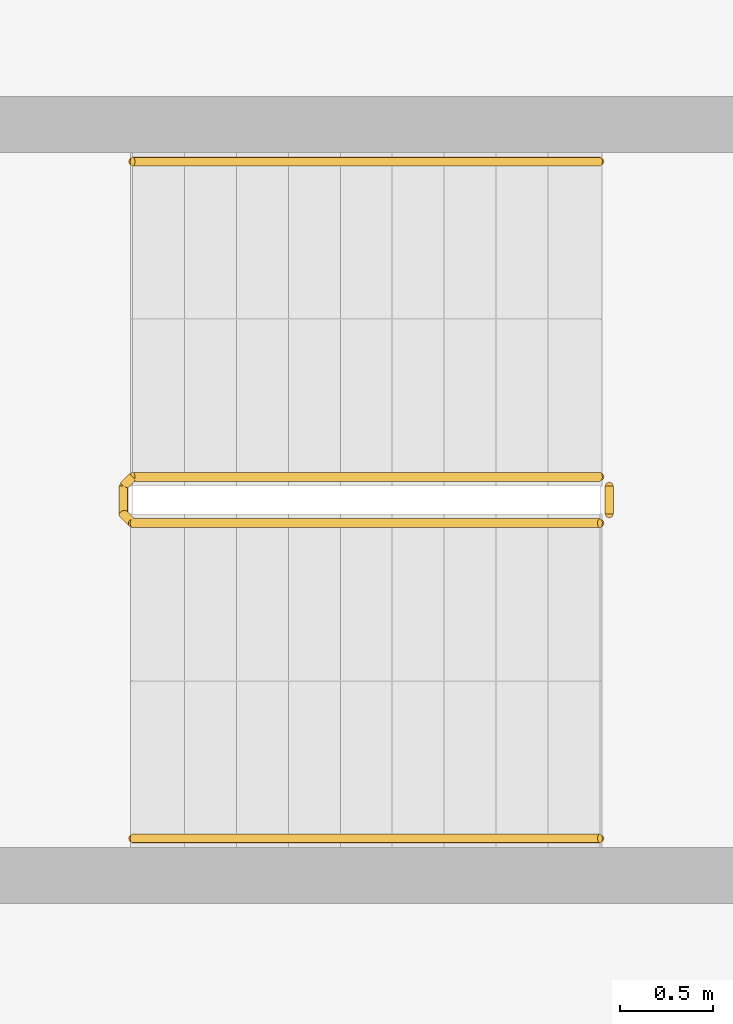
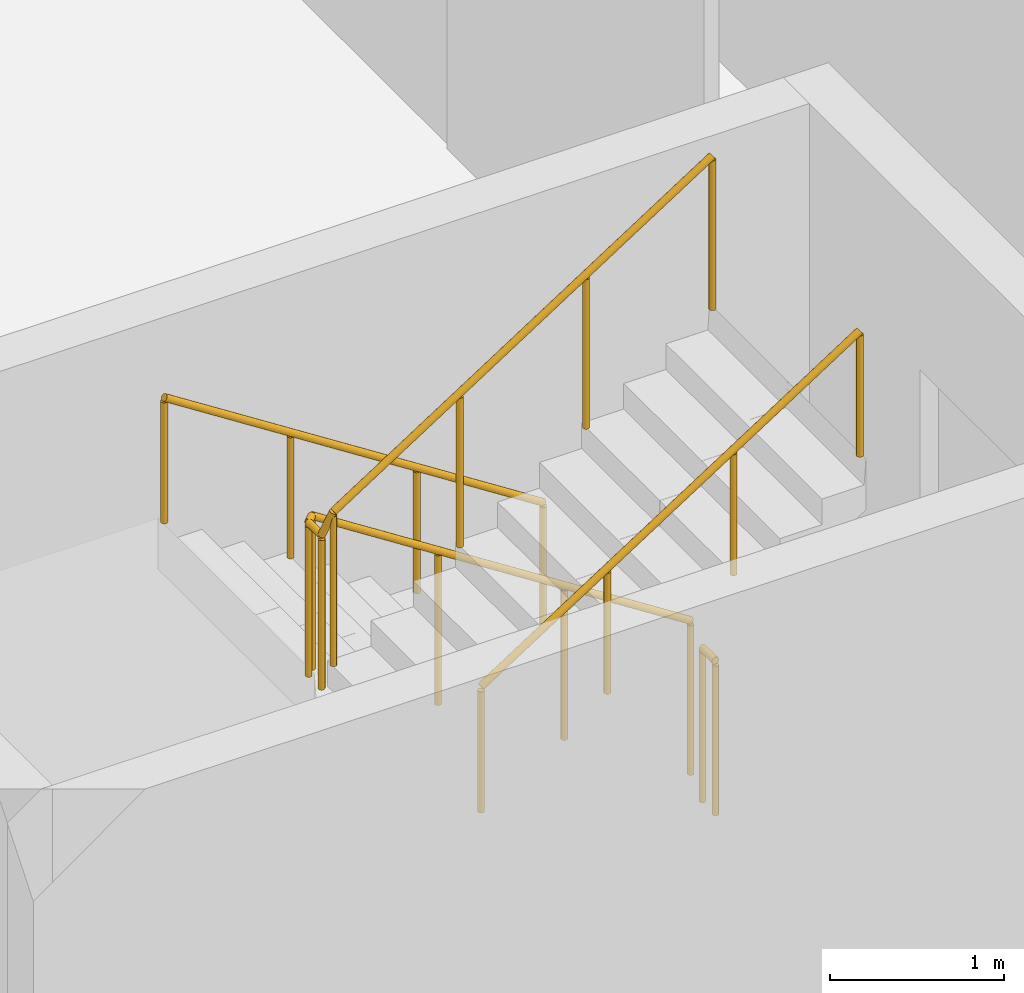
# One storey, part 24 of 27: 4 railings.
"""IFC4 building model written with IfcOpenShell, lengths in metres."""

import ifcopenshell
import ifcopenshell.guid

model = None  # the IFC model being written
_history = None  # IfcOwnerHistory: only IFC2X3 demands one
_inside = {}  # id of a spatial element -> (the spatial element, [elements in it])
_under = {}  # id of a project, library or spatial element -> (it, [spatial elements below it])
_declared = {}  # id of a project -> (the project, [libraries it declares])
_typed = {}  # id of a type object -> (the type object, [elements of that type])
_made_of = {}  # id of a material, layer set ... -> (it, [elements and type objects made of it])


def new_model(schema):
    """Start an empty IFC model of exactly this schema.

    Asked for "IFC4X3", IfcOpenShell would pick the latest addendum, in which some entities
    have other attributes; the version numbers below select the first issue.
    IFC2X3 requires an IfcOwnerHistory on every rooted entity: one is made here for all.
    """
    global model, _history
    if schema == "IFC4X3":
        model = ifcopenshell.file(schema_version=(4, 3, 0, 0))
    else:
        model = ifcopenshell.file(schema=schema)
    _inside.clear()
    _under.clear()
    _declared.clear()
    _typed.clear()
    _made_of.clear()
    _history = None
    if model.schema == "IFC2X3":
        org = make("IfcOrganization", Name="unknown")
        user = make(
            "IfcPersonAndOrganization",
            ThePerson=make("IfcPerson", FamilyName="unknown"),
            TheOrganization=org,
        )
        app = make(
            "IfcApplication",
            ApplicationDeveloper=org,
            Version="unknown",
            ApplicationFullName="unknown",
            ApplicationIdentifier="unknown",
        )
        _history = make(
            "IfcOwnerHistory",
            OwningUser=user,
            OwningApplication=app,
            ChangeAction="ADDED",
            CreationDate=0,
        )
    return model


def make(cls, **values):
    """One entity of the class cls with the attributes given. An attribute that is None is left unset."""
    return model.create_entity(
        cls, **{name: value for name, value in values.items() if value is not None}
    )


def rooted(cls, **values):
    """An entity with a GlobalId (a new one), such as an element, a storey or a relation."""
    return make(cls, GlobalId=ifcopenshell.guid.new(), OwnerHistory=_history, **values)


def si_unit(unit_type, name, prefix=None):
    """IfcSIUnit, for example si_unit("LENGTHUNIT", "METRE", prefix="MILLI")."""
    return make("IfcSIUnit", UnitType=unit_type, Prefix=prefix, Name=name)


def assignment(units):
    """IfcUnitAssignment: the units of a project."""
    return None if units is None else make("IfcUnitAssignment", Units=units)


def point(xyz):
    """IfcCartesianPoint."""
    return None if xyz is None else make("IfcCartesianPoint", Coordinates=xyz)


def direction(xyz):
    """IfcDirection."""
    return None if xyz is None else make("IfcDirection", DirectionRatios=xyz)


def frame(location, z_axis=None, x_axis=None):
    """IfcAxis2Placement3D, a coordinate frame: its origin and axes. An axis left out is left unset."""
    return make(
        "IfcAxis2Placement3D",
        Location=point(location),
        Axis=direction(z_axis),
        RefDirection=direction(x_axis),
    )


def frame_2d(location, x_axis=None):
    """IfcAxis2Placement2D, a coordinate frame in the plane: its origin and x axis."""
    return make(
        "IfcAxis2Placement2D", Location=point(location), RefDirection=direction(x_axis)
    )


def origin():
    """The frame at (0, 0, 0) with its axes left unset."""
    return frame((0.0, 0.0, 0.0))


def origin_2d():
    """The frame at (0, 0) in the plane with its x axis left unset."""
    return frame_2d((0.0, 0.0))


def place(relative_to, where):
    """IfcLocalPlacement: puts the frame where relative to a parent placement (None: the world)."""
    return make(
        "IfcLocalPlacement", PlacementRelTo=relative_to, RelativePlacement=where
    )


def context(
    kind, dimensions, precision=None, world=None, true_north=None, identifier=None
):
    """IfcGeometricRepresentationContext, for example the 3D "Model" context."""
    return make(
        "IfcGeometricRepresentationContext",
        ContextIdentifier=identifier,
        ContextType=kind,
        CoordinateSpaceDimension=dimensions,
        Precision=precision,
        WorldCoordinateSystem=world,
        TrueNorth=true_north,
    )


def subcontext(parent, identifier, kind, view, scale=None):
    """IfcGeometricRepresentationSubContext, for example "Body" below "Model"."""
    return make(
        "IfcGeometricRepresentationSubContext",
        ContextIdentifier=identifier,
        ContextType=kind,
        ParentContext=parent,
        TargetScale=scale,
        TargetView=view,
    )


def project(units=None, contexts=None):
    """IfcProject with its units and contexts."""
    return rooted(
        "IfcProject",
        Name="project",
        RepresentationContexts=contexts,
        UnitsInContext=assignment(units),
    )


def spatial(cls, under=None, at=None, **own):
    """A site, building, storey or space (cls), placed at a placement, below another one or the project."""
    s = rooted(cls, ObjectPlacement=at, **own)
    if under is not None:
        _under.setdefault(under.id(), (under, []))[1].append(s)
    return s


def profile(cls, at=None, kind="AREA", **sizes):
    """A parametric profile (cls). Its sizes go by their IFC names, for example OverallWidth=200.0."""
    return make(cls, ProfileType=kind, Position=at, **sizes)


def circle(**sizes):
    """IfcCircleProfileDef."""
    return profile("IfcCircleProfileDef", **sizes)


def extrude(swept, where, along, depth):
    """IfcExtrudedAreaSolid: the profile swept, set in the frame where, extruded along a direction by depth."""
    return make(
        "IfcExtrudedAreaSolid",
        SweptArea=swept,
        Position=where,
        ExtrudedDirection=direction(along),
        Depth=depth,
    )


def shape(context_of_items, identifier, shape_type, items):
    """IfcShapeRepresentation: the items that make up one representation, for example the "Body"."""
    return make(
        "IfcShapeRepresentation",
        ContextOfItems=context_of_items,
        RepresentationIdentifier=identifier,
        RepresentationType=shape_type,
        Items=items,
    )


def material(Name=None, Category=None):
    """IfcMaterial."""
    return make("IfcMaterial", Name=Name, Category=Category)


def made_of(thing, what):
    """Note that an element or type object is made of a material, layer set ...; save() writes the relation."""
    if what is not None:
        _made_of.setdefault(what.id(), (what, []))[1].append(thing)
    return thing


def type_object(cls, material=None, **own):
    """A type object (cls), such as IfcWallType, which elements share."""
    return made_of(rooted(cls, **own), material)


def element(
    cls,
    number,
    at=None,
    inside=None,
    cuts=None,
    type_object=None,
    material=None,
    context=None,
    identifier="Body",
    shape_type=None,
    held_by="IfcProductDefinitionShape",
    body=None,
    shapes=None,
    **own,
):
    """One element of the class cls, such as IfcWall. Its Tag is "e" and its number.

    at: its placement. inside: the storey or other place that contains it. cuts: it is an
    opening in that element (IfcRelVoidsElement). A single representation is given by context,
    identifier, shape_type and body (its items); several are given by shapes. held_by: the class
    of the entity that holds the representations. save() writes the other relations.
    """
    e = rooted(cls, Tag="e%d" % number, ObjectPlacement=at, **own)
    if body is not None:
        shapes = [shape(context, identifier, shape_type, body)]
    if shapes is not None:
        e.Representation = make(held_by, Representations=shapes)
    if inside is not None:
        _inside.setdefault(inside.id(), (inside, []))[1].append(e)
    if cuts is not None:
        rooted(
            "IfcRelVoidsElement", RelatingBuildingElement=cuts, RelatedOpeningElement=e
        )
    if type_object is not None:
        _typed.setdefault(type_object.id(), (type_object, []))[1].append(e)
    return made_of(e, material)


def aggregate(whole, parts):
    """IfcRelAggregates: a whole, such as a stair, and the parts it consists of."""
    return rooted("IfcRelAggregates", RelatingObject=whole, RelatedObjects=parts)


def save(model, path):
    """Write the relations noted so far, then the file.

    IfcRelAggregates (storeys below a building ...), IfcRelContainedInSpatialStructure (elements
    in a storey), IfcRelDefinesByType, IfcRelAssociatesMaterial and IfcRelDeclares: one each for
    every whole, place, type object, material and project.
    """
    for whole, parts in _under.values():
        aggregate(whole, parts)
    for where, things in _inside.values():
        rooted(
            "IfcRelContainedInSpatialStructure",
            RelatedElements=things,
            RelatingStructure=where,
        )
    for kind, things in _typed.values():
        rooted("IfcRelDefinesByType", RelatedObjects=things, RelatingType=kind)
    for what, things in _made_of.values():
        rooted("IfcRelAssociatesMaterial", RelatedObjects=things, RelatingMaterial=what)
    for by, libraries in _declared.values():
        rooted("IfcRelDeclares", RelatingContext=by, RelatedDefinitions=libraries)
    model.write(path)


model = new_model("IFC4")

# Units and contexts
model_context = context("Model", 3, precision=1e-05, world=origin(), true_north=direction((0.0, 1.0)))
body_context = subcontext(model_context, "Body", "Model", "MODEL_VIEW")
ifc_project = project(units=[si_unit("LENGTHUNIT", "METRE"), si_unit("AREAUNIT", "SQUARE_METRE"), si_unit("VOLUMEUNIT", "CUBIC_METRE"), si_unit("PLANEANGLEUNIT", "RADIAN"), si_unit("MASSUNIT", "GRAM", prefix="KILO")], contexts=[model_context])

# Site, building, storey
site_placement = place(None, origin())
site = spatial("IfcSite", under=ifc_project, at=site_placement, CompositionType="ELEMENT")
building_placement = place(site_placement, origin())
building = spatial("IfcBuilding", under=site, at=building_placement, Name="Wharfspan Tower", CompositionType="ELEMENT")
storey_placement = place(building_placement, frame((0.0, 0.0, 139.899902)))
storey = spatial("IfcBuildingStorey", under=building, at=storey_placement, Name="L33", CompositionType="ELEMENT", Elevation=139.899902)

# Railings
ifc_material = material(Name="Steel S355J2", Category="steel")
railing_type_1 = type_object("IfcRailingType", Name="Stair guard 1100", PredefinedType="GUARDRAIL", material=ifc_material)
railing_1_placement = place(storey_placement, frame((13.899902, 22.824951, 0.180176)))
element("IfcRailing", 1, at=railing_1_placement, inside=storey, type_object=railing_type_1, Name="L33 ST3 stair guard 1", PredefinedType="GUARDRAIL", context=body_context, shape_type="SweptSolid", body=[
    extrude(circle(Radius=0.023926, at=origin_2d()), frame((0.0, 0.0, 1.076172), z_axis=(-0.8412, 0.0, 0.540725), x_axis=(0.0, -1.0, 0.0)), (0.0, 0.0, 1.0), 2.99585),
    extrude(circle(Radius=0.023926, at=origin_2d()), frame((-2.52002, 0.0, 2.695801), z_axis=(-0.705376, -0.708834, 0.0), x_axis=(0.708834, -0.705376, 0.0)), (0.0, 0.0, 1.0), 0.070557),
    extrude(circle(Radius=0.023926, at=origin_2d()), frame((-2.569824, -0.050049, 2.695801), z_axis=(0.0, -1.0, 0.0), x_axis=(1.0, 0.0, 0.0)), (0.0, 0.0, 1.0), 0.149902),
    extrude(circle(Radius=0.023926, at=origin_2d()), frame((-2.569824, -0.199951, 2.695801), z_axis=(0.257669, -0.258932, 0.930892), x_axis=(0.708833, 0.705372, -1e-06)), (0.0, 0.0, 1.0), 0.193359),
    extrude(circle(Radius=0.023926, at=origin_2d()), frame((-2.52002, -0.25, 2.875977), z_axis=(0.841163, 0.0, 0.540782), x_axis=(0.0, 1.0, 0.0)), (0.0, 0.0, 1.0), 2.99585),
    extrude(circle(Radius=0.020996, at=origin_2d()), origin(), (0.0, 0.0, 1.0), 1.052002),
    extrude(circle(Radius=0.020996, at=origin_2d()), frame((-0.840088, 0.0, 0.540039)), (0.0, 0.0, 1.0), 1.052002),
    extrude(circle(Radius=0.020996, at=origin_2d()), frame((-1.679932, 0.0, 1.079834)), (0.0, 0.0, 1.0), 1.052002),
    extrude(circle(Radius=0.020996, at=origin_2d()), frame((-2.52002, 0.0, 1.619873)), (0.0, 0.0, 1.0), 1.052002),
    extrude(circle(Radius=0.020996, at=origin_2d()), frame((-2.569824, -0.050049, 1.619873)), (0.0, 0.0, 1.0), 1.052002),
    extrude(circle(Radius=0.020996, at=origin_2d()), frame((-2.569824, -0.199951, 1.619873)), (0.0, 0.0, 1.0), 1.052002),
    extrude(circle(Radius=0.020996, at=origin_2d()), frame((-2.52002, -0.25, 1.799805)), (0.0, 0.0, 1.0), 1.052002),
    extrude(circle(Radius=0.020996, at=origin_2d()), frame((-1.679932, -0.25, 2.339844)), (0.0, 0.0, 1.0), 1.052002),
    extrude(circle(Radius=0.020996, at=origin_2d()), frame((-0.840088, -0.25, 2.879883)), (0.0, 0.0, 1.0), 1.052002),
    extrude(circle(Radius=0.020996, at=origin_2d()), frame((0.0, -0.25, 3.419922)), (0.0, 0.0, 1.0), 1.052002),
])
railing_2_placement = place(storey_placement, frame((13.949951, 22.774902, 0.0)))
element("IfcRailing", 2, at=railing_2_placement, inside=storey, type_object=railing_type_1, Name="L33 ST3 stair guard 2", PredefinedType="GUARDRAIL", context=body_context, shape_type="SweptSolid", body=[
    extrude(circle(Radius=0.023926, at=origin_2d()), frame((0.0, 0.0, 1.076172), z_axis=(0.0, -1.0, 0.0), x_axis=(1.0, 0.0, 0.0)), (0.0, 0.0, 1.0), 0.149902),
    extrude(circle(Radius=0.020996, at=origin_2d()), origin(), (0.0, 0.0, 1.0), 1.052002),
    extrude(circle(Radius=0.020996, at=origin_2d()), frame((0.0, -0.149902, 0.0)), (0.0, 0.0, 1.0), 1.052002),
])
railing_type_2 = type_object("IfcRailingType", Name="Stair handrail 900", PredefinedType="HANDRAIL", material=ifc_material)
railing_3_placement = place(storey_placement, frame((13.899902, 24.524902, 0.180176)))
element("IfcRailing", 3, at=railing_3_placement, inside=storey, type_object=railing_type_2, Name="L33 ST3 stair handrail 1", PredefinedType="HANDRAIL", context=body_context, shape_type="SweptSolid", body=[
    extrude(circle(Radius=0.023926, at=origin_2d()), frame((0.0, 0.0, 0.875977), z_axis=(-0.8412, 0.0, 0.540725), x_axis=(0.0, -1.0, 0.0)), (0.0, 0.0, 1.0), 2.99585),
    extrude(circle(Radius=0.020996, at=origin_2d()), origin(), (0.0, 0.0, 1.0), 0.851807),
    extrude(circle(Radius=0.020996, at=origin_2d()), frame((-0.840088, 0.0, 0.540039)), (0.0, 0.0, 1.0), 0.851807),
    extrude(circle(Radius=0.020996, at=origin_2d()), frame((-1.679932, 0.0, 1.079834)), (0.0, 0.0, 1.0), 0.851807),
    extrude(circle(Radius=0.020996, at=origin_2d()), frame((-2.52002, 0.0, 1.619873)), (0.0, 0.0, 1.0), 0.851807),
])
railing_4_placement = place(storey_placement, frame((11.379883, 20.875, 1.97998)))
element("IfcRailing", 4, at=railing_4_placement, inside=storey, type_object=railing_type_2, Name="L33 ST3 stair handrail 2", PredefinedType="HANDRAIL", context=body_context, shape_type="SweptSolid", body=[
    extrude(circle(Radius=0.023926, at=origin_2d()), frame((0.0, 0.0, 0.875977), z_axis=(0.841163, 0.0, 0.540782), x_axis=(0.0, 1.0, 0.0)), (0.0, 0.0, 1.0), 2.99585),
    extrude(circle(Radius=0.020996, at=origin_2d()), origin(), (0.0, 0.0, 1.0), 0.851807),
    extrude(circle(Radius=0.020996, at=origin_2d()), frame((0.840088, 0.0, 0.540039)), (0.0, 0.0, 1.0), 0.851807),
    extrude(circle(Radius=0.020996, at=origin_2d()), frame((1.679932, 0.0, 1.080078)), (0.0, 0.0, 1.0), 0.851807),
    extrude(circle(Radius=0.020996, at=origin_2d()), frame((2.52002, 0.0, 1.620117)), (0.0, 0.0, 1.0), 0.851807),
])

save(model, "model.ifc")
